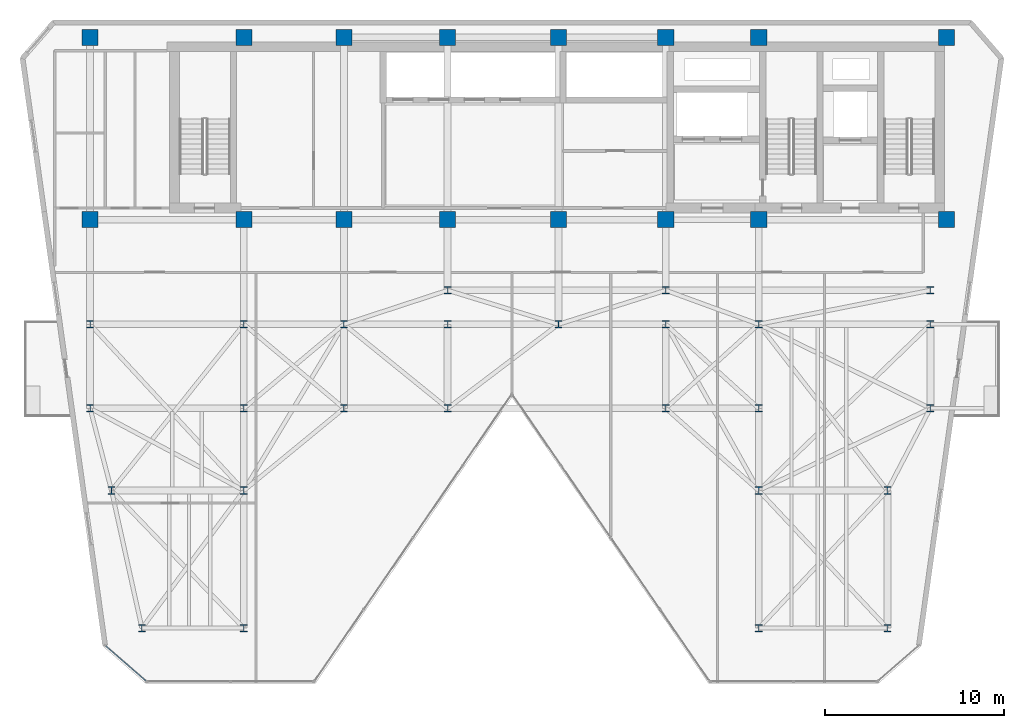
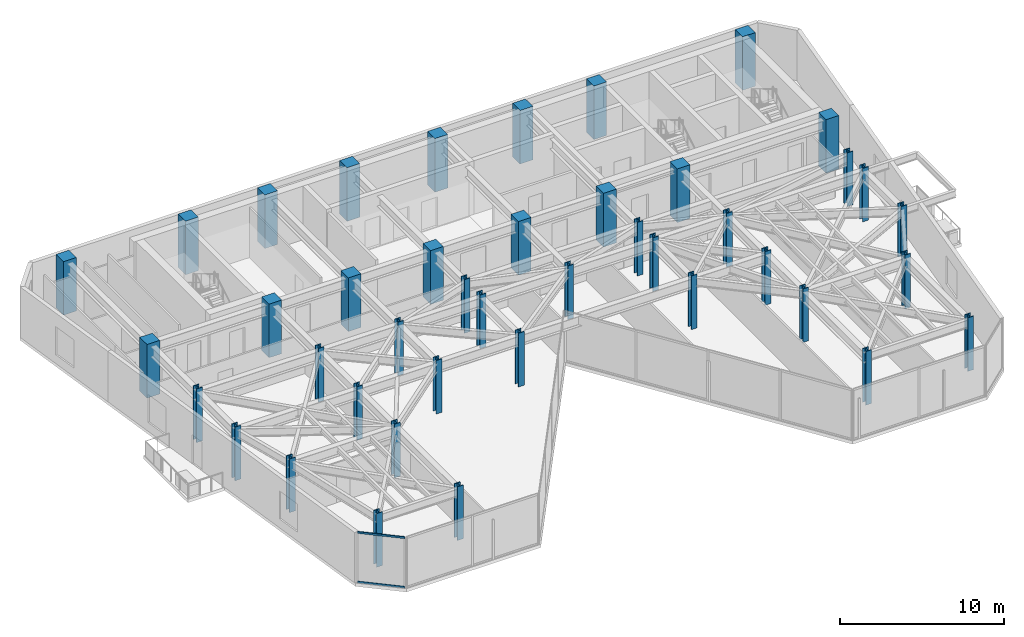
# One storey, part 1 of 21: 42 columns, 2 members, 1 element without a shape of its own.
"""IFC4 building model written with IfcOpenShell, lengths in metres."""

from ifc_helpers import new_model, si_unit, direction, frame, origin, origin_2d, place, context, subcontext, project, spatial, rectangle, hollow_rectangle, i_section, extrude, material, layer, layer_set, material_profile, profile_set, type_object, element, aggregate, save


model = new_model("IFC4")

# Units and contexts
model_context = context("Model", 3, precision=1e-05, world=origin(), true_north=direction((0.0, 1.0)))
body_context = subcontext(model_context, "Body", "Model", "MODEL_VIEW")
ifc_project = project(units=[si_unit("LENGTHUNIT", "METRE"), si_unit("AREAUNIT", "SQUARE_METRE"), si_unit("VOLUMEUNIT", "CUBIC_METRE"), si_unit("PLANEANGLEUNIT", "RADIAN"), si_unit("MASSUNIT", "GRAM", prefix="KILO")], contexts=[model_context])

# Site, building, storey
site_placement = place(None, origin())
site = spatial("IfcSite", under=ifc_project, at=site_placement, CompositionType="ELEMENT")
building_placement = place(site_placement, origin())
building = spatial("IfcBuilding", under=site, at=building_placement, Name="Kravanh Interchange Tower", CompositionType="ELEMENT")
storey_placement = place(building_placement, frame((0.0, 0.0, 176.5)))
storey = spatial("IfcBuildingStorey", under=building, at=storey_placement, Name="L42", CompositionType="ELEMENT", Elevation=176.5)

# Columns
ifc_material_1 = material(Name="Concrete C60/75", Category="concrete")
ifc_material_profile_1 = material_profile(ifc_material_1, rectangle(XDim=0.89990234375, YDim=0.89990234375, at=origin_2d()), Name="RC900X900")
ifc_profile_set_1 = profile_set([ifc_material_profile_1], Name="Concrete C60/75")
column_type_1 = type_object("IfcColumnType", Name="Column RC900X900 Concrete C60/75", PredefinedType="COLUMN", material=ifc_profile_set_1)
for number, where, z_axis, x_axis, name in (
    (1, (66.5, 47.550048828125, 0.0), (0.0, 0.0, 1.0), (1.0, 0.0, 0.0), "L42 Column CS01"),
    (2, (56.0, 47.550048828125, 0.0), (0.0, 0.0, 1.0), (1.0, 0.0, 0.0), "L42 Column CS02"),
    (3, (66.5, 37.35009765625, 0.0), (0.0, 0.0, 1.0), (1.0, 0.0, 0.0), "L42 Column CS03"),
    (4, (56.0, 37.35009765625, 0.0), (0.0, 0.0, 1.0), (1.0, 0.0, 0.0), "L42 Column CS04"),
    (5, (50.800048828125, 47.550048828125, 0.0), (0.0, 0.0, 1.0), (1.0, 0.0, 0.0), "L42 Column CS05"),
    (6, (50.800048828125, 37.35009765625, 0.0), (0.0, 0.0, 1.0), (1.0, 0.0, 0.0), "L42 Column CS06"),
    (7, (44.800048828125, 37.35009765625, 0.0), (0.0, 0.0, 1.0), (1.0, 0.0, 0.0), "L42 Column CS07"),
    (8, (44.800048828125, 47.550048828125, 0.0), (0.0, 0.0, 1.0), (1.0, 0.0, 0.0), "L42 Column CS08"),
    (9, (38.60009765625, 37.35009765625, 0.0), (0.0, 0.0, 1.0), (1.0, 0.0, 0.0), "L42 Column CS09"),
    (10, (38.60009765625, 47.550048828125, 0.0), (0.0, 0.0, 1.0), (1.0, 0.0, 0.0), "L42 Column CS10"),
    (11, (32.800048828125, 37.35009765625, 0.0), (0.0, 0.0, 1.0), (1.0, 0.0, 0.0), "L42 Column CS11"),
    (12, (32.800048828125, 47.550048828125, 0.0), (0.0, 0.0, 1.0), (1.0, 0.0, 0.0), "L42 Column CS12"),
    (13, (27.199951171875, 37.35009765625, 0.0), (0.0, 0.0, 1.0), (1.0, 0.0, 0.0), "L42 Column CS13"),
    (14, (27.199951171875, 47.550048828125, 0.0), (0.0, 0.0, 1.0), (1.0, 0.0, 0.0), "L42 Column CS14"),
    (15, (18.60009765625, 37.35009765625, 0.0), (0.0, 0.0, 1.0), (1.0, 0.0, 0.0), "L42 Column CS17"),
    (16, (18.60009765625, 47.550048828125, 0.0), (0.0, 0.0, 1.0), (1.0, 0.0, 0.0), "L42 Column CS18"),
):
    element("IfcColumn", number, at=place(storey_placement, frame(where, z_axis=z_axis, x_axis=x_axis)), inside=storey, type_object=column_type_1, Name=name, PredefinedType="COLUMN", context=body_context, shape_type="SweptSolid", body=[
        extrude(rectangle(XDim=0.89990234375, YDim=0.89990234375, at=origin_2d()), origin(), (0.0, 0.0, 1.0), 4.0),
    ])
ifc_material_2 = material(Name="Structural Steel S355", Category="steel")
ifc_material_profile_2 = material_profile(ifc_material_2, i_section(OverallWidth=0.408935546875, OverallDepth=0.425048828125, WebThickness=0.03271484375, FlangeThickness=0.052490234375, FilletRadius=0.030029296875, at=origin_2d()), Name="W14X283")
ifc_profile_set_2 = profile_set([ifc_material_profile_2], Name="Structural Steel S355")
column_type_2 = type_object("IfcColumnType", Name="Column W14X283 Structural Steel S355", PredefinedType="COLUMN", material=ifc_profile_set_2)
for number, where, z_axis, x_axis, name in (
    (17, (21.5, 14.5, 0.0), (0.0, 0.0, 1.0), (1.0, 0.0, 0.0), "L42 Column CZ3_1"),
    (18, (18.60009765625, 26.800048828125, 0.0), (0.0, 0.0, 1.0), (1.0, 0.0, 0.0), "L42 Column CZ3_11"),
    (19, (27.199951171875, 26.800048828125, 0.0), (0.0, 0.0, 1.0), (1.0, 0.0, 0.0), "L42 Column CZ3_12"),
    (20, (32.800048828125, 26.800048828125, 0.0), (0.0, 0.0, 1.0), (1.0, 0.0, 0.0), "L42 Column CZ3_13"),
    (21, (38.60009765625, 26.800048828125, 0.0), (0.0, 0.0, 1.0), (1.0, 0.0, 0.0), "L42 Column CZ3_13B"),
    (22, (50.800048828125, 26.800048828125, 0.0), (0.0, 0.0, 1.0), (1.0, 0.0, 0.0), "L42 Column CZ3_14"),
    (23, (56.0, 26.800048828125, 0.0), (0.0, 0.0, 1.0), (1.0, 0.0, 0.0), "L42 Column CZ3_15"),
    (24, (65.60009765625, 26.800048828125, 0.0), (0.0, 0.0, 1.0), (1.0, 0.0, 0.0), "L42 Column CZ3_16"),
    (25, (18.60009765625, 31.5, 0.0), (0.0, 0.0, 1.0), (1.0, 0.0, 0.0), "L42 Column CZ3_17"),
    (26, (27.199951171875, 31.5, 0.0), (0.0, 0.0, 1.0), (1.0, 0.0, 0.0), "L42 Column CZ3_18"),
    (27, (32.800048828125, 31.5, 0.0), (0.0, 0.0, 1.0), (1.0, 0.0, 0.0), "L42 Column CZ3_19"),
    (28, (27.199951171875, 14.5, 0.0), (0.0, 0.0, 1.0), (1.0, 0.0, 0.0), "L42 Column CZ3_2"),
    (29, (38.60009765625, 31.5, 0.0), (0.0, 0.0, 1.0), (1.0, 0.0, 0.0), "L42 Column CZ3_20"),
    (30, (44.800048828125, 31.5, 0.0), (0.0, 0.0, 1.0), (1.0, 0.0, 0.0), "L42 Column CZ3_21"),
    (31, (50.800048828125, 31.5, 0.0), (0.0, 0.0, 1.0), (1.0, 0.0, 0.0), "L42 Column CZ3_22"),
    (32, (56.0, 31.5, 0.0), (0.0, 0.0, 1.0), (1.0, 0.0, 0.0), "L42 Column CZ3_23"),
    (33, (65.60009765625, 31.5, 0.0), (0.0, 0.0, 1.0), (1.0, 0.0, 0.0), "L42 Column CZ3_24"),
    (34, (56.0, 14.5, 0.0), (0.0, 0.0, 1.0), (1.0, 0.0, 0.0), "L42 Column CZ3_3"),
    (35, (63.199951171875, 14.5, 0.0), (0.0, 0.0, 1.0), (1.0, 0.0, 0.0), "L42 Column CZ3_4"),
    (36, (19.800048828125, 22.199951171875, 0.0), (0.0, 0.0, 1.0), (1.0, 0.0, 0.0), "L42 Column CZ3_5"),
    (37, (27.199951171875, 22.199951171875, 0.0), (0.0, 0.0, 1.0), (1.0, 0.0, 0.0), "L42 Column CZ3_6"),
    (38, (56.0, 22.199951171875, 0.0), (0.0, 0.0, 1.0), (1.0, 0.0, 0.0), "L42 Column CZ3_8"),
    (39, (63.199951171875, 22.199951171875, 0.0), (0.0, 0.0, 1.0), (1.0, 0.0, 0.0), "L42 Column CZ3_9"),
    (40, (38.60009765625, 33.39990234375, 0.0), (0.0, 0.0, 1.0), (1.0, 0.0, 0.0), "L42 Column CZ3_M1"),
    (41, (50.800048828125, 33.39990234375, 0.0), (0.0, 0.0, 1.0), (1.0, 0.0, 0.0), "L42 Column CZ3_M2"),
    (42, (65.60009765625, 33.39990234375, 0.0), (0.0, 0.0, 1.0), (1.0, 0.0, 0.0), "L42 Column CZ3_M3"),
):
    element("IfcColumn", number, at=place(storey_placement, frame(where, z_axis=z_axis, x_axis=x_axis)), inside=storey, type_object=column_type_2, Name=name, PredefinedType="COLUMN", context=body_context, shape_type="SweptSolid", body=[
        extrude(i_section(OverallWidth=0.408935546875, OverallDepth=0.425048828125, WebThickness=0.03271484375, FlangeThickness=0.052490234375, FilletRadius=0.030029296875, at=origin_2d()), origin(), (0.0, 0.0, 1.0), 4.0),
    ])

# Curtain wall, members
ifc_material_3 = material(Name="Anodised Bronze Aluminium", Category="aluminium")
ifc_layer = layer(ifc_material_3, 0.179931640625)
ifc_layer_set = layer_set([ifc_layer], Name="Unitised Curtain Wall System CW-Z3 Upper Office")
curtain_wall_type = type_object("IfcCurtainWallType", Name="Unitised Curtain Wall System CW-Z3 Upper Office", PredefinedType="NOTDEFINED", material=ifc_layer_set)
curtain_wall_placement = place(storey_placement, origin())
curtain_wall = element("IfcCurtainWall", 43, at=curtain_wall_placement, inside=storey, type_object=curtain_wall_type, Name="L42 Unitised Curtain Wall CW-L42-06", PredefinedType="NOTDEFINED")
ifc_material_4 = material(Name="Anodised Bronze Aluminium", Category="aluminium")
ifc_material_profile_3 = material_profile(ifc_material_4, hollow_rectangle(XDim=0.06005859375, YDim=0.139892578125, WallThickness=0.00390625, at=origin_2d()), Name="ALU60X140X4")
ifc_profile_set_3 = profile_set([ifc_material_profile_3], Name="Anodised Bronze Aluminium")
member_type = type_object("IfcMemberType", Name="Curtain Wall Transom ALU60X140X4 Bronze", PredefinedType="USERDEFINED", material=ifc_profile_set_3)
member_1_placement = place(storey_placement, frame((21.713623046875, 11.559326171875, 0.030029296875), z_axis=(-0.754708504141, 0.656060266879, 0.0), x_axis=(-0.656060266879, -0.754708504141, 0.0)))
member_1 = element("IfcMember", 44, at=member_1_placement, type_object=member_type, Name="CW-Z3 transom 1.1", ObjectType="TRANSOM", PredefinedType="USERDEFINED", context=body_context, shape_type="SweptSolid", body=[
    extrude(hollow_rectangle(XDim=0.06005859375, YDim=0.139892578125, WallThickness=0.00390625, at=origin_2d()), origin(), (0.0, 0.0, 1.0), 2.9599609375),
])
member_2_placement = place(storey_placement, frame((21.713623046875, 11.559326171875, 3.72509765625), z_axis=(-0.754708504141, 0.656060266879, 0.0), x_axis=(-0.656060266879, -0.754708504141, 0.0)))
member_2 = element("IfcMember", 45, at=member_2_placement, type_object=member_type, Name="CW-Z3 transom 1.2", ObjectType="TRANSOM", PredefinedType="USERDEFINED", context=body_context, shape_type="SweptSolid", body=[
    extrude(hollow_rectangle(XDim=0.06005859375, YDim=0.139892578125, WallThickness=0.00390625, at=origin_2d()), origin(), (0.0, 0.0, 1.0), 2.9599609375),
])
aggregate(curtain_wall, [member_1, member_2])

save(model, "model.ifc")
